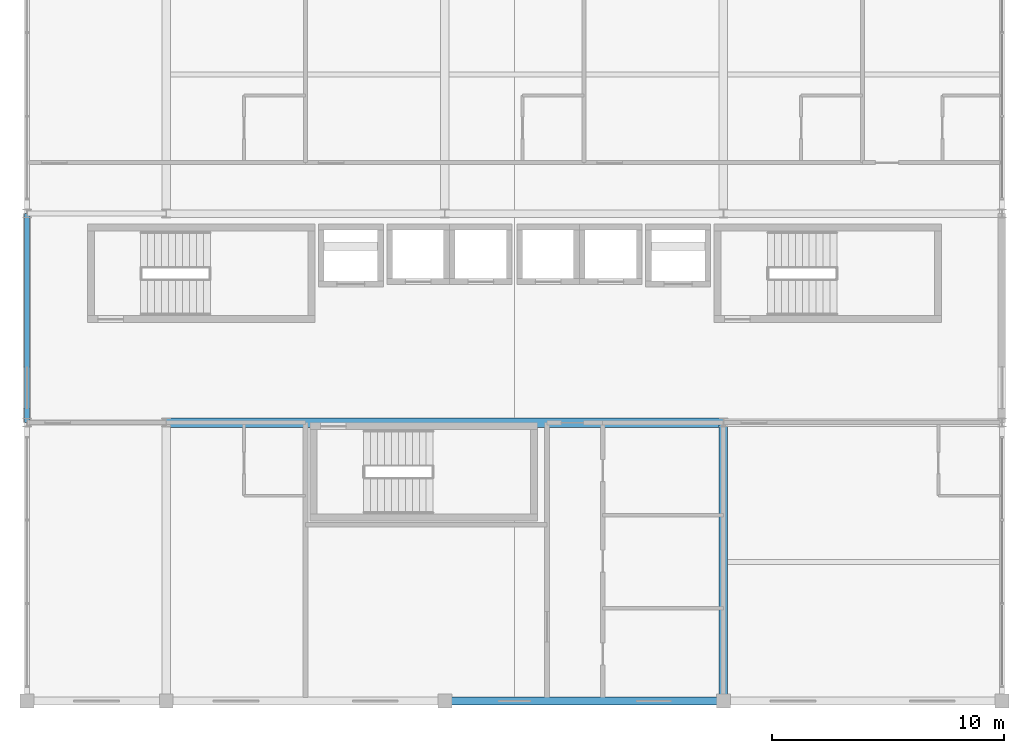
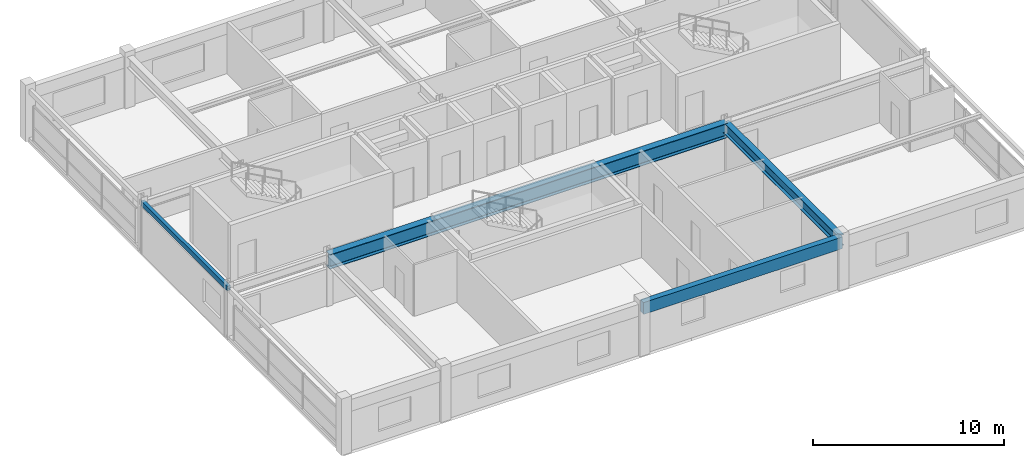
# One storey, part 5 of 22: 4 beams.
"""IFC4 building model written with IfcOpenShell, lengths in metres."""

from ifc_helpers import new_model, si_unit, direction, frame, origin, origin_2d, place, context, subcontext, project, spatial, rectangle, hollow_rectangle, i_section, extrude, material, material_profile, profile_set, type_object, element, save


model = new_model("IFC4")

# Units and contexts
model_context = context("Model", 3, precision=1e-05, world=origin(), true_north=direction((0.0, 1.0)))
body_context = subcontext(model_context, "Body", "Model", "MODEL_VIEW")
ifc_project = project(units=[si_unit("LENGTHUNIT", "METRE"), si_unit("AREAUNIT", "SQUARE_METRE"), si_unit("VOLUMEUNIT", "CUBIC_METRE"), si_unit("PLANEANGLEUNIT", "RADIAN"), si_unit("MASSUNIT", "GRAM", prefix="KILO")], contexts=[model_context])

# Site, building, storey
site_placement = place(None, origin())
site = spatial("IfcSite", under=ifc_project, at=site_placement, CompositionType="ELEMENT")
building_placement = place(site_placement, origin())
building = spatial("IfcBuilding", under=site, at=building_placement, Name="Kaldorvane Square Convention Centre", CompositionType="ELEMENT")
storey_placement = place(building_placement, frame((0.0, 0.0, 67.19999694824219)))
storey = spatial("IfcBuildingStorey", under=building, at=storey_placement, Name="L16", CompositionType="ELEMENT", Elevation=67.19999694824219)

# Beams
ifc_material_1 = material(Name="Steel ASTM A992 Gr. 50", Category="steel")
ifc_material_profile_1 = material_profile(ifc_material_1, i_section(OverallWidth=0.354705810546875, OverallDepth=0.69549560546875, WebThickness=0.0153961181640625, FlangeThickness=0.0251007080078125, FilletRadius=0.01519775390625, at=origin_2d()), Name="W27X146")
ifc_profile_set_1 = profile_set([ifc_material_profile_1], Name="Steel ASTM A992 Gr. 50")
beam_type_1 = type_object("IfcBeamType", Name="BM-GR-W27X146", PredefinedType="BEAM", material=ifc_profile_set_1)
beam_1_placement = place(storey_placement, frame((66.0, 84.0, 2.9282073974609375), z_axis=(0.0, 1.0, 0.0), x_axis=(-1.0, 0.0, 0.0)))
element("IfcBeam", 1, at=beam_1_placement, inside=storey, type_object=beam_type_1, Name="Transverse Girder (L16)", PredefinedType="BEAM", context=body_context, shape_type="SweptSolid", body=[
    extrude(i_section(OverallWidth=0.354705810546875, OverallDepth=0.69549560546875, WebThickness=0.0153961181640625, FlangeThickness=0.0251007080078125, FilletRadius=0.01519775390625, at=origin_2d()), origin(), (0.0, 0.0, 1.0), 12.0),
])
ifc_material_profile_2 = material_profile(ifc_material_1, i_section(OverallWidth=0.418304443359375, OverallDepth=0.926605224609375, WebThickness=0.0193023681640625, FlangeThickness=0.0319976806640625, FilletRadius=0.0240936279296875, at=origin_2d()), Name="W36X231")
ifc_profile_set_2 = profile_set([ifc_material_profile_2], Name="Steel ASTM A992 Gr. 50")
beam_type_2 = type_object("IfcBeamType", Name="BM-GR-W36X231", PredefinedType="BEAM", material=ifc_profile_set_2)
beam_2_placement = place(storey_placement, frame((42.0, 96.0, 2.8126983642578125), z_axis=(1.0, 0.0, 0.0), x_axis=(0.0, 1.0, 0.0)))
element("IfcBeam", 2, at=beam_2_placement, inside=storey, type_object=beam_type_2, Name="Primary Girder (L16)", PredefinedType="BEAM", context=body_context, shape_type="SweptSolid", body=[
    extrude(i_section(OverallWidth=0.418304443359375, OverallDepth=0.926605224609375, WebThickness=0.0193023681640625, FlangeThickness=0.0319976806640625, FilletRadius=0.0240936279296875, at=origin_2d()), origin(), (0.0, 0.0, 1.0), 24.0),
])
ifc_material_2 = material(Name="Steel ASTM A500 Gr. C", Category="steel")
ifc_material_profile_3 = material_profile(ifc_material_2, hollow_rectangle(XDim=0.2032012939453125, YDim=0.3047943115234375, WallThickness=0.0088958740234375, at=origin_2d()), Name="HSS12X8X3/8")
ifc_profile_set_3 = profile_set([ifc_material_profile_3], Name="Steel ASTM A500 Gr. C")
beam_type_3 = type_object("IfcBeamType", Name="BM-SP-HSS12", PredefinedType="SPANDREL", material=ifc_profile_set_3)
beam_3_placement = place(storey_placement, frame((36.0, 96.0, 3.12359619140625), z_axis=(0.0, 1.0, 0.0), x_axis=(-1.0, 0.0, 0.0)))
element("IfcBeam", 3, at=beam_3_placement, inside=storey, type_object=beam_type_3, Name="End Spandrel (L16)", PredefinedType="SPANDREL", context=body_context, shape_type="SweptSolid", body=[
    extrude(hollow_rectangle(XDim=0.2032012939453125, YDim=0.3047943115234375, WallThickness=0.0088958740234375, at=origin_2d()), origin(), (0.0, 0.0, 1.0), 9.0),
])
ifc_material_3 = material(Name="Concrete f'c = 42 MPa (Normalweight)", Category="concrete")
ifc_material_profile_4 = material_profile(ifc_material_3, rectangle(XDim=0.350006103515625, YDim=0.75, at=origin_2d()), Name="RCSP750X350")
ifc_profile_set_4 = profile_set([ifc_material_profile_4], Name="Concrete f'c = 42 MPa (Normalweight)")
beam_type_4 = type_object("IfcBeamType", Name="BM-SP-RC750", PredefinedType="SPANDREL", material=ifc_profile_set_4)
beam_4_placement = place(storey_placement, frame((54.0, 84.0, 2.9010009765625), z_axis=(1.0, 0.0, 0.0), x_axis=(0.0, 1.0, 0.0)))
element("IfcBeam", 4, at=beam_4_placement, inside=storey, type_object=beam_type_4, Name="Perimeter Spandrel (L16)", PredefinedType="SPANDREL", context=body_context, shape_type="SweptSolid", body=[
    extrude(rectangle(XDim=0.350006103515625, YDim=0.75, at=origin_2d()), origin(), (0.0, 0.0, 1.0), 12.0),
])

save(model, "model.ifc")
